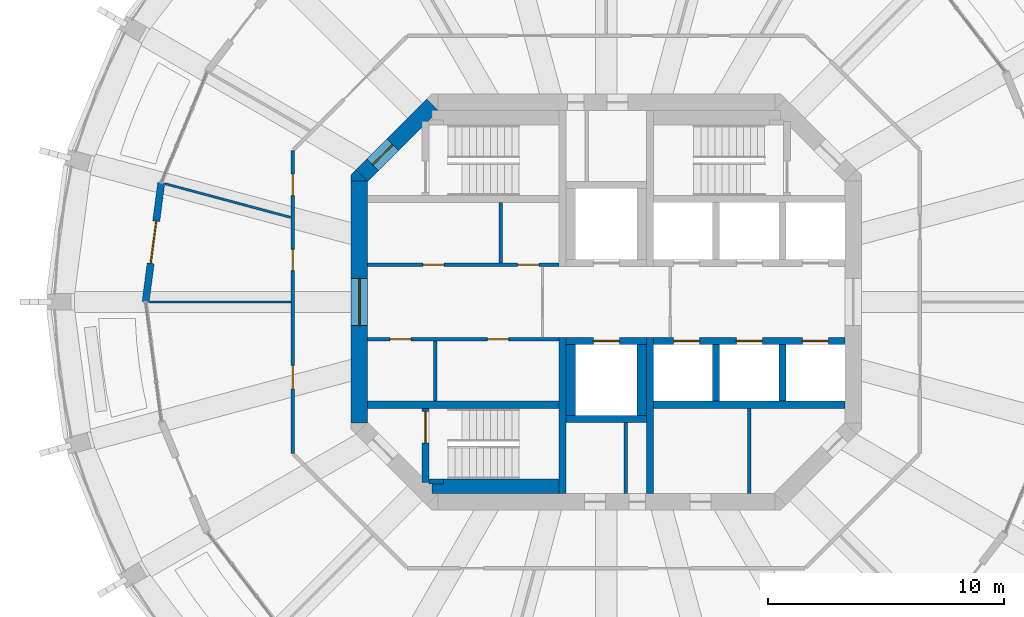
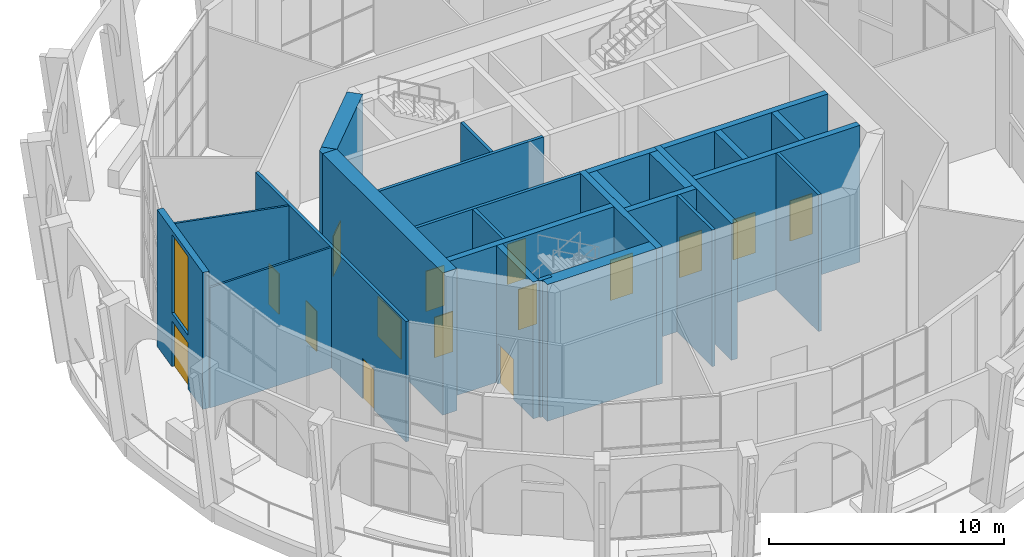
# One storey, part 10 of 16: 27 walls, 15 doors, 1 window, 16 openings.
"""IFC4 building model written with IfcOpenShell, lengths in metres."""

from ifc_helpers import new_model, si_unit, direction, frame, frame_2d, origin, place, context, subcontext, project, spatial, polyline, rectangle, outline, extrude, material, layer, layer_set, type_object, element, fill, save


model = new_model("IFC4")

# Units and contexts
model_context = context("Model", 3, precision=1e-05, world=origin(), true_north=direction((0.0, 1.0)))
body_context = subcontext(model_context, "Body", "Model", "MODEL_VIEW")
ifc_project = project(units=[si_unit("LENGTHUNIT", "METRE"), si_unit("AREAUNIT", "SQUARE_METRE"), si_unit("VOLUMEUNIT", "CUBIC_METRE"), si_unit("PLANEANGLEUNIT", "RADIAN"), si_unit("MASSUNIT", "GRAM", prefix="KILO")], contexts=[model_context])

# Site, building, storey
site_placement = place(None, origin())
site = spatial("IfcSite", under=ifc_project, at=site_placement, CompositionType="ELEMENT")
building_placement = place(site_placement, origin())
building = spatial("IfcBuilding", under=site, at=building_placement, Name="Torre Triforio", CompositionType="ELEMENT")
storey_placement = place(building_placement, frame((0.0, 0.0, 218.699951171875)))
storey = spatial("IfcBuildingStorey", under=building, at=storey_placement, Name="L50", CompositionType="ELEMENT", Elevation=218.699951171875)

# Walls
ifc_material_1 = material(Name="Concrete C50", Category="concrete")
ifc_layer_1 = layer(ifc_material_1, 0.300048828125)
ifc_layer_set_1 = layer_set([ifc_layer_1], Name="Concrete C50")
wall_type_1 = type_object("IfcWallType", Name="Core wall 300 mm C50 EI 120", PredefinedType="SHEAR", material=ifc_layer_set_1)
for number, where, z_axis, x_axis, name in (
    (1, (-1.85009765625, -8.10009765625, 0.0), (0.0, 0.0, 1.0), (0.0, 1.0, 0.0), "Core wall"),
    (2, (1.85009765625, -8.10009765625, 0.0), (0.0, 0.0, 1.0), (0.0, 1.0, 0.0), "Core wall"),
):
    element("IfcWall", number, at=place(storey_placement, frame(where, z_axis=z_axis, x_axis=x_axis)), inside=storey, type_object=wall_type_1, Name=name, PredefinedType="SHEAR", context=body_context, shape_type="SweptSolid", body=[
        extrude(rectangle(XDim=6.60009765625, YDim=0.300048828125, at=frame_2d((3.300048828125, 0.0))), origin(), (0.0, 0.0, 1.0), 7.1201171875),
    ])

# Wall, opening, door
ifc_layer_2 = layer(ifc_material_1, 0.699951171875)
ifc_layer_set_2 = layer_set([ifc_layer_2], Name="Concrete C50")
wall_type_2 = type_object("IfcWallType", Name="Core wall 700 mm C50 EI 120", PredefinedType="SHEAR", material=ifc_layer_set_2)
wall_1_placement = place(storey_placement, frame((-10.449951171875, -5.1298828125, -0.280029296875), z_axis=(0.0, 0.0, 1.0), x_axis=(0.0, 1.0, 0.0)))
wall_1 = element("IfcWall", 3, at=wall_1_placement, inside=storey, type_object=wall_type_2, Name="Core wall", PredefinedType="SHEAR", context=body_context, shape_type="SweptSolid", body=[
    extrude(rectangle(XDim=10.259765625, YDim=0.699951171875, at=frame_2d((5.1298828125, 0.0))), origin(), (0.0, 0.0, 1.0), 7.400146484375),
])
opening_1_placement = place(wall_1_placement, frame((4.1298828125, 0.0, 0.280029296875)))
opening_1 = element("IfcOpeningElement", 4, at=opening_1_placement, cuts=wall_1, Name="Opening W-RING", PredefinedType="OPENING", context=body_context, shape_type="SweptSolid", body=[
    extrude(rectangle(XDim=2.0, YDim=2.10009765625, at=frame_2d((1.0, 1.050048828125))), frame((0.0, 0.35986328125, 0.0), z_axis=(0.0, -1.0, 0.0), x_axis=(1.0, 0.0, 0.0)), (0.0, 0.0, 1.0), 0.719970703125),
])
ifc_material_2 = material(Name="Hollow metal fire door leaf")
door_type_1 = type_object("IfcDoorType", Name="Lobby door 2000 x 2100 EI 60", OperationType="DOUBLE_DOOR_SINGLE_SWING", PredefinedType="DOOR", material=ifc_material_2)
door_1_placement = place(opening_1_placement, origin())
door_1 = element("IfcDoor", 5, at=door_1_placement, inside=storey, type_object=door_type_1, Name="Core door W-RING", OperationType="DOUBLE_DOOR_SINGLE_SWING", OverallHeight=2.10009765625, OverallWidth=2.0, PredefinedType="DOOR", context=body_context, shape_type="SweptSolid", body=[
    extrude(rectangle(XDim=2.0, YDim=2.10009765625, at=frame_2d((1.0, 1.050048828125))), frame((0.0, 0.02490234375, 0.0), z_axis=(0.0, -1.0, 0.0), x_axis=(1.0, 0.0, 0.0)), (0.0, 0.0, 1.0), 0.050048828125),
])
fill(opening_1, door_1)

wall_2_placement = place(storey_placement, frame((-10.347412109375, 5.347412109375, -0.280029296875), z_axis=(0.0, 0.0, 1.0), x_axis=(0.707106781187, 0.707106781187, 0.0)))
wall_2 = element("IfcWall", 6, at=wall_2_placement, inside=storey, type_object=wall_type_2, Name="Core wall", PredefinedType="SHEAR", context=body_context, shape_type="SweptSolid", body=[
    extrude(rectangle(XDim=4.24267578125, YDim=0.699951171875, at=frame_2d((2.121337890625, 0.0))), origin(), (0.0, 0.0, 1.0), 7.400146484375),
])
opening_2_placement = place(wall_2_placement, frame((0.64990234375, 0.0, 0.280029296875)))
opening_2 = element("IfcOpeningElement", 7, at=opening_2_placement, cuts=wall_2, Name="Opening ST1-EXIT", PredefinedType="OPENING", context=body_context, shape_type="SweptSolid", body=[
    extrude(rectangle(XDim=1.199951171875, YDim=2.10009765625, at=frame_2d((0.60009765625, 1.050048828125))), frame((0.0, 0.35986328125, 0.0), z_axis=(0.0, -1.0, 0.0), x_axis=(1.0, 0.0, 0.0)), (0.0, 0.0, 1.0), 0.719970703125),
])
door_type_2 = type_object("IfcDoorType", Name="Stair lobby door 1200 x 2100 EI 60", OperationType="NOTDEFINED", PredefinedType="DOOR", material=ifc_material_2)
door_2_placement = place(opening_2_placement, origin())
door_2 = element("IfcDoor", 8, at=door_2_placement, inside=storey, type_object=door_type_2, Name="Core door ST1-EXIT", OperationType="SINGLE_SWING_RIGHT", OverallHeight=2.10009765625, OverallWidth=1.199951171875, PredefinedType="DOOR", context=body_context, shape_type="SweptSolid", body=[
    extrude(rectangle(XDim=1.199951171875, YDim=2.10009765625, at=frame_2d((0.60009765625, 1.050048828125))), frame((0.0, 0.02490234375, 0.0), z_axis=(0.0, -1.0, 0.0), x_axis=(1.0, 0.0, 0.0)), (0.0, 0.0, 1.0), 0.050048828125),
])
fill(opening_2, door_2)

# Wall
wall_3_placement = place(storey_placement, frame((0.0, 0.0, -0.280029296875)))
element("IfcWall", 9, at=wall_3_placement, inside=storey, type_object=wall_type_2, Name="Core wall", PredefinedType="SHEAR", context=body_context, shape_type="SweptSolid", body=[
    extrude(outline(polyline([(-10.594970703125, 5.594970703125), (-10.594970703125, 5.594970703125), (-10.594970703125, 5.594970703125), (-10.1298828125, 5.1298828125), (-10.800048828125, 5.1298828125), (-10.800048828125, 5.1298828125), (-10.800048828125, 5.389892578125), (-10.594970703125, 5.594970703125)])), origin(), (0.0, 0.0, 1.0), 7.400146484375),
])

# Wall, openings, doors
ifc_material_3 = material(Name="Plasterboard on metal studs")
ifc_layer_3 = layer(ifc_material_3, 0.14990234375)
ifc_layer_set_3 = layer_set([ifc_layer_3], Name="Plasterboard on metal studs")
wall_type_3 = type_object("IfcWallType", Name="Corridor and tenancy wall 150 mm EI 60", PredefinedType="PARTITIONING", material=ifc_layer_set_3)
wall_4_placement = place(storey_placement, frame((-13.27490234375, -6.4150390625, 0.0), z_axis=(0.0, 0.0, 1.0), x_axis=(0.0, 1.0, 0.0)))
wall_4 = element("IfcWall", 10, at=wall_4_placement, inside=storey, type_object=wall_type_3, Name="Partition 4", PredefinedType="PARTITIONING", context=body_context, shape_type="SweptSolid", body=[
    extrude(rectangle(XDim=12.830078125, YDim=0.14990234375, at=frame_2d((6.4150390625, 0.0))), origin(), (0.0, 0.0, 1.0), 6.27001953125),
])
opening_3_placement = place(wall_4_placement, frame((10.92626953125, 0.0, 0.0)))
opening_3 = element("IfcOpeningElement", 11, at=opening_3_placement, cuts=wall_4, Name="Opening G3-03", PredefinedType="OPENING", context=body_context, shape_type="SweptSolid", body=[
    extrude(rectangle(XDim=0.89990234375, YDim=2.10009765625, at=frame_2d((0.449951171875, 1.050048828125))), frame((0.0, 0.0849609375, 0.0), z_axis=(0.0, -1.0, 0.0), x_axis=(1.0, 0.0, 0.0)), (0.0, 0.0, 1.0), 0.169921875),
])
opening_4_placement = place(wall_4_placement, frame((7.744384765625, 0.0, 0.0)))
opening_4 = element("IfcOpeningElement", 12, at=opening_4_placement, cuts=wall_4, Name="Opening G3-04", PredefinedType="OPENING", context=body_context, shape_type="SweptSolid", body=[
    extrude(rectangle(XDim=0.89990234375, YDim=2.10009765625, at=frame_2d((0.449951171875, 1.050048828125))), frame((0.0, 0.0849609375, 0.0), z_axis=(0.0, -1.0, 0.0), x_axis=(1.0, 0.0, 0.0)), (0.0, 0.0, 1.0), 0.169921875),
])
opening_5_placement = place(wall_4_placement, frame((2.732666015625, 0.0, 0.0)))
opening_5 = element("IfcOpeningElement", 13, at=opening_5_placement, cuts=wall_4, Name="Opening G3-05", PredefinedType="OPENING", context=body_context, shape_type="SweptSolid", body=[
    extrude(rectangle(XDim=1.0, YDim=2.10009765625, at=frame_2d((0.5, 1.050048828125))), frame((0.0, 0.0849609375, 0.0), z_axis=(0.0, -1.0, 0.0), x_axis=(1.0, 0.0, 0.0)), (0.0, 0.0, 1.0), 0.169921875),
])
ifc_material_4 = material(Name="Timber", Category="wood")
door_type_3 = type_object("IfcDoorType", Name="Door 1000 x 2100 single leaf EI 30", OperationType="NOTDEFINED", PredefinedType="DOOR", material=ifc_material_4)
door_3_placement = place(opening_5_placement, origin())
door_3 = element("IfcDoor", 14, at=door_3_placement, inside=storey, type_object=door_type_3, Name="Door G3-05", OperationType="SINGLE_SWING_LEFT", OverallHeight=2.10009765625, OverallWidth=1.0, PredefinedType="DOOR", context=body_context, shape_type="SweptSolid", body=[
    extrude(rectangle(XDim=1.0, YDim=2.10009765625, at=frame_2d((0.5, 1.050048828125))), frame((0.0, 0.02490234375, 0.0), z_axis=(0.0, -1.0, 0.0), x_axis=(1.0, 0.0, 0.0)), (0.0, 0.0, 1.0), 0.050048828125),
])
fill(opening_5, door_3)
door_type_4 = type_object("IfcDoorType", Name="Door 900 x 2100 single leaf EI 30", OperationType="NOTDEFINED", PredefinedType="DOOR", material=ifc_material_4)
door_4_placement = place(opening_3_placement, origin())
door_4 = element("IfcDoor", 15, at=door_4_placement, inside=storey, type_object=door_type_4, Name="Door G3-03", OperationType="SINGLE_SWING_LEFT", OverallHeight=2.10009765625, OverallWidth=0.89990234375, PredefinedType="DOOR", context=body_context, shape_type="SweptSolid", body=[
    extrude(rectangle(XDim=0.89990234375, YDim=2.10009765625, at=frame_2d((0.449951171875, 1.050048828125))), frame((0.0, 0.02490234375, 0.0), z_axis=(0.0, -1.0, 0.0), x_axis=(1.0, 0.0, 0.0)), (0.0, 0.0, 1.0), 0.050048828125),
])
fill(opening_3, door_4)
door_5_placement = place(opening_4_placement, origin())
door_5 = element("IfcDoor", 16, at=door_5_placement, inside=storey, type_object=door_type_4, Name="Door G3-04", OperationType="SINGLE_SWING_RIGHT", OverallHeight=2.10009765625, OverallWidth=0.89990234375, PredefinedType="DOOR", context=body_context, shape_type="SweptSolid", body=[
    extrude(rectangle(XDim=0.89990234375, YDim=2.10009765625, at=frame_2d((0.449951171875, 1.050048828125))), frame((0.0, 0.02490234375, 0.0), z_axis=(0.0, -1.0, 0.0), x_axis=(1.0, 0.0, 0.0)), (0.0, 0.0, 1.0), 0.050048828125),
])
fill(opening_4, door_5)

# Walls
ifc_layer_4 = layer(ifc_material_3, 0.10009765625)
ifc_layer_set_4 = layer_set([ifc_layer_4], Name="Plasterboard on metal studs")
wall_type_4 = type_object("IfcWallType", Name="Partition 100 mm board on metal studs", PredefinedType="PARTITIONING", material=ifc_layer_set_4)
wall_5_placement = place(storey_placement, frame((-13.3642578125, 3.5810546875, 0.0), z_axis=(0.0, 0.0, 1.0), x_axis=(-0.965932996121, 0.258792285443, 0.0)))
element("IfcWall", 17, at=wall_5_placement, inside=storey, type_object=wall_type_4, Name="Partition 16", PredefinedType="PARTITIONING", context=body_context, shape_type="SweptSolid", body=[
    extrude(rectangle(XDim=5.5009765625, YDim=0.10009765625, at=frame_2d((2.75048828125, 0.0))), origin(), (0.0, 0.0, 1.0), 6.27001953125),
])
wall_6_placement = place(storey_placement, frame((-13.35009765625, 0.0, 0.0), z_axis=(0.0, 0.0, 1.0), x_axis=(-1.0, 0.0, 0.0)))
element("IfcWall", 18, at=wall_6_placement, inside=storey, type_object=wall_type_4, Name="Partition 17", PredefinedType="PARTITIONING", context=body_context, shape_type="SweptSolid", body=[
    extrude(rectangle(XDim=5.986572265625, YDim=0.10009765625, at=frame_2d((2.9931640625, 0.0))), origin(), (0.0, 0.0, 1.0), 6.27001953125),
])
ifc_material_5 = material(Name="Block and board partition")
ifc_layer_5 = layer(ifc_material_5, 0.14990234375)
ifc_layer_set_5 = layer_set([ifc_layer_5], Name="Block and board partition")
wall_type_5 = type_object("IfcWallType", Name="Partition 150 mm", PredefinedType="PARTITIONING", material=ifc_layer_set_5)
wall_7_placement = place(storey_placement, frame((6.050048828125, -8.10009765625, 0.0), z_axis=(0.0, 0.0, 1.0), x_axis=(0.0, 1.0, 0.0)))
element("IfcWall", 19, at=wall_7_placement, inside=storey, type_object=wall_type_5, Name="Partition", PredefinedType="PARTITIONING", context=body_context, shape_type="SweptSolid", body=[
    extrude(rectangle(XDim=3.60009765625, YDim=0.14990234375, at=frame_2d((1.800048828125, 0.0))), origin(), (0.0, 0.0, 1.0), 7.1201171875),
])
for number, where, z_axis, x_axis, name in (
    (20, (-4.4599609375, 1.64990234375, 0.0), (0.0, 0.0, 1.0), (0.0, 1.0, 0.0), "Partition"),
    (21, (-7.242431640625, -4.199951171875, 0.0), (0.0, 0.0, 1.0), (0.0, 1.0, 0.0), "Partition"),
):
    element("IfcWall", number, at=place(storey_placement, frame(where, z_axis=z_axis, x_axis=x_axis)), inside=storey, type_object=wall_type_5, Name=name, PredefinedType="PARTITIONING", context=body_context, shape_type="SweptSolid", body=[
        extrude(rectangle(XDim=2.550048828125, YDim=0.14990234375, at=frame_2d((1.27490234375, 0.0))), origin(), (0.0, 0.0, 1.0), 7.1201171875),
    ])
ifc_layer_6 = layer(ifc_material_5, 0.14990234375)
ifc_layer_set_6 = layer_set([ifc_layer_6], Name="Block and board partition")
wall_type_6 = type_object("IfcWallType", Name="Partition 150 mm EI 120", PredefinedType="PARTITIONING", material=ifc_layer_set_6)
wall_8_placement = place(storey_placement, frame((0.824951171875, -8.10009765625, 0.0), z_axis=(0.0, 0.0, 1.0), x_axis=(0.0, 1.0, 0.0)))
element("IfcWall", 22, at=wall_8_placement, inside=storey, type_object=wall_type_6, Name="Partition", PredefinedType="PARTITIONING", context=body_context, shape_type="SweptSolid", body=[
    extrude(rectangle(XDim=3.0, YDim=0.14990234375, at=frame_2d((1.5, 0.0))), origin(), (0.0, 0.0, 1.0), 7.1201171875),
])

# Wall, openings, doors
wall_9_placement = place(storey_placement, frame((-10.10009765625, 1.574951171875, 0.0), z_axis=(0.0, 0.0, 1.0), x_axis=(1.0, 0.0, 0.0)))
wall_9 = element("IfcWall", 23, at=wall_9_placement, inside=storey, type_object=wall_type_6, Name="Partition", PredefinedType="PARTITIONING", context=body_context, shape_type="SweptSolid", body=[
    extrude(rectangle(XDim=8.10009765625, YDim=0.14990234375, at=frame_2d((4.050048828125, 0.0))), origin(), (0.0, 0.0, 1.0), 7.1201171875),
])
opening_6_placement = place(wall_9_placement, frame((2.33251953125, 0.0, 0.0)))
opening_6 = element("IfcOpeningElement", 24, at=opening_6_placement, cuts=wall_9, Name="Opening FN-01", PredefinedType="OPENING", context=body_context, shape_type="SweptSolid", body=[
    extrude(rectangle(XDim=0.89990234375, YDim=2.10009765625, at=frame_2d((0.449951171875, 1.050048828125))), frame((0.0, 0.0849609375, 0.0), z_axis=(0.0, -1.0, 0.0), x_axis=(1.0, 0.0, 0.0)), (0.0, 0.0, 1.0), 0.169921875),
])
opening_7_placement = place(wall_9_placement, frame((6.35009765625, 0.0, 0.0)))
opening_7 = element("IfcOpeningElement", 25, at=opening_7_placement, cuts=wall_9, Name="Opening FN-02A", PredefinedType="OPENING", context=body_context, shape_type="SweptSolid", body=[
    extrude(rectangle(XDim=0.89990234375, YDim=2.10009765625, at=frame_2d((0.449951171875, 1.050048828125))), frame((0.0, 0.0849609375, 0.0), z_axis=(0.0, -1.0, 0.0), x_axis=(1.0, 0.0, 0.0)), (0.0, 0.0, 1.0), 0.169921875),
])
door_type_5 = type_object("IfcDoorType", Name="Plant room door 900 x 2100 EI 60", OperationType="NOTDEFINED", PredefinedType="DOOR", material=ifc_material_2)
door_6_placement = place(opening_7_placement, origin())
door_6 = element("IfcDoor", 26, at=door_6_placement, inside=storey, type_object=door_type_5, Name="Core door FN-02", OperationType="SINGLE_SWING_RIGHT", OverallHeight=2.10009765625, OverallWidth=0.89990234375, PredefinedType="DOOR", context=body_context, shape_type="SweptSolid", body=[
    extrude(rectangle(XDim=0.89990234375, YDim=2.10009765625, at=frame_2d((0.449951171875, 1.050048828125))), frame((0.0, 0.02490234375, 0.0), z_axis=(0.0, -1.0, 0.0), x_axis=(1.0, 0.0, 0.0)), (0.0, 0.0, 1.0), 0.050048828125),
])
fill(opening_7, door_6)
door_type_6 = type_object("IfcDoorType", Name="Room door 900 x 2100 EI 60", OperationType="NOTDEFINED", PredefinedType="DOOR", material=ifc_material_2)
door_7_placement = place(opening_6_placement, origin())
door_7 = element("IfcDoor", 27, at=door_7_placement, inside=storey, type_object=door_type_6, Name="Core door FN-01", OperationType="SINGLE_SWING_RIGHT", OverallHeight=2.10009765625, OverallWidth=0.89990234375, PredefinedType="DOOR", context=body_context, shape_type="SweptSolid", body=[
    extrude(rectangle(XDim=0.89990234375, YDim=2.10009765625, at=frame_2d((0.449951171875, 1.050048828125))), frame((0.0, 0.02490234375, 0.0), z_axis=(0.0, -1.0, 0.0), x_axis=(1.0, 0.0, 0.0)), (0.0, 0.0, 1.0), 0.050048828125),
])
fill(opening_6, door_7)

wall_10_placement = place(storey_placement, frame((-10.10009765625, -1.574951171875, 0.0), z_axis=(0.0, 0.0, 1.0), x_axis=(1.0, 0.0, 0.0)))
wall_10 = element("IfcWall", 28, at=wall_10_placement, inside=storey, type_object=wall_type_6, Name="Partition", PredefinedType="PARTITIONING", context=body_context, shape_type="SweptSolid", body=[
    extrude(rectangle(XDim=8.10009765625, YDim=0.14990234375, at=frame_2d((4.050048828125, 0.0))), origin(), (0.0, 0.0, 1.0), 7.1201171875),
])
opening_8_placement = place(wall_10_placement, frame((0.941162109375, 0.0, 0.0)))
opening_8 = element("IfcOpeningElement", 29, at=opening_8_placement, cuts=wall_10, Name="Opening FS-01", PredefinedType="OPENING", context=body_context, shape_type="SweptSolid", body=[
    extrude(rectangle(XDim=0.89990234375, YDim=2.10009765625, at=frame_2d((0.449951171875, 1.050048828125))), frame((0.0, 0.0849609375, 0.0), z_axis=(0.0, -1.0, 0.0), x_axis=(1.0, 0.0, 0.0)), (0.0, 0.0, 1.0), 0.169921875),
])
opening_9_placement = place(wall_10_placement, frame((5.066162109375, 0.0, 0.0)))
opening_9 = element("IfcOpeningElement", 30, at=opening_9_placement, cuts=wall_10, Name="Opening FS-02", PredefinedType="OPENING", context=body_context, shape_type="SweptSolid", body=[
    extrude(rectangle(XDim=0.89990234375, YDim=2.10009765625, at=frame_2d((0.449951171875, 1.050048828125))), frame((0.0, 0.0849609375, 0.0), z_axis=(0.0, -1.0, 0.0), x_axis=(1.0, 0.0, 0.0)), (0.0, 0.0, 1.0), 0.169921875),
])
door_8_placement = place(opening_8_placement, origin())
door_8 = element("IfcDoor", 31, at=door_8_placement, inside=storey, type_object=door_type_6, Name="Core door FS-01", OperationType="SINGLE_SWING_LEFT", OverallHeight=2.10009765625, OverallWidth=0.89990234375, PredefinedType="DOOR", context=body_context, shape_type="SweptSolid", body=[
    extrude(rectangle(XDim=0.89990234375, YDim=2.10009765625, at=frame_2d((0.449951171875, 1.050048828125))), frame((0.0, 0.02490234375, 0.0), z_axis=(0.0, -1.0, 0.0), x_axis=(1.0, 0.0, 0.0)), (0.0, 0.0, 1.0), 0.050048828125),
])
fill(opening_8, door_8)
door_9_placement = place(opening_9_placement, origin())
door_9 = element("IfcDoor", 32, at=door_9_placement, inside=storey, type_object=door_type_6, Name="Core door FS-02", OperationType="SINGLE_SWING_LEFT", OverallHeight=2.10009765625, OverallWidth=0.89990234375, PredefinedType="DOOR", context=body_context, shape_type="SweptSolid", body=[
    extrude(rectangle(XDim=0.89990234375, YDim=2.10009765625, at=frame_2d((0.449951171875, 1.050048828125))), frame((0.0, 0.02490234375, 0.0), z_axis=(0.0, -1.0, 0.0), x_axis=(1.0, 0.0, 0.0)), (0.0, 0.0, 1.0), 0.050048828125),
])
fill(opening_9, door_9)

# Walls
ifc_layer_7 = layer(ifc_material_1, 0.300048828125)
ifc_layer_set_7 = layer_set([ifc_layer_7], Name="Concrete C50")
wall_type_7 = type_object("IfcWallType", Name="Shaft wall 300 mm C50 EI 120", PredefinedType="SOLIDWALL", material=ifc_layer_set_7)
for number, where, z_axis, x_axis, name in (
    (33, (-10.10009765625, -4.35009765625, 0.0), (0.0, 0.0, 1.0), (1.0, 0.0, 0.0), "Shaft wall"),
    (34, (2.0, -4.35009765625, 0.0), (0.0, 0.0, 1.0), (1.0, 0.0, 0.0), "Shaft wall"),
):
    element("IfcWall", number, at=place(storey_placement, frame(where, z_axis=z_axis, x_axis=x_axis)), inside=storey, type_object=wall_type_7, Name=name, PredefinedType="SOLIDWALL", context=body_context, shape_type="SweptSolid", body=[
        extrude(rectangle(XDim=8.10009765625, YDim=0.300048828125, at=frame_2d((4.050048828125, 0.0))), origin(), (0.0, 0.0, 1.0), 7.1201171875),
    ])

# Wall, openings, doors
wall_11_placement = place(storey_placement, frame((2.0, -1.64990234375, 0.0), z_axis=(0.0, 0.0, 1.0), x_axis=(1.0, 0.0, 0.0)))
wall_11 = element("IfcWall", 35, at=wall_11_placement, inside=storey, type_object=wall_type_7, Name="Shaft wall", PredefinedType="SOLIDWALL", context=body_context, shape_type="SweptSolid", body=[
    extrude(rectangle(XDim=8.10009765625, YDim=0.300048828125, at=frame_2d((4.050048828125, 0.0))), origin(), (0.0, 0.0, 1.0), 7.1201171875),
])
opening_10_placement = place(wall_11_placement, frame((0.85009765625, 0.0, 0.0)))
opening_10 = element("IfcOpeningElement", 36, at=opening_10_placement, cuts=wall_11, Name="Opening LD", PredefinedType="OPENING", context=body_context, shape_type="SweptSolid", body=[
    extrude(rectangle(XDim=1.10009765625, YDim=2.10009765625, at=frame_2d((0.550048828125, 1.050048828125))), frame((0.0, 0.159912109375, 0.0), z_axis=(0.0, -1.0, 0.0), x_axis=(1.0, 0.0, 0.0)), (0.0, 0.0, 1.0), 0.320068359375),
])
opening_11_placement = place(wall_11_placement, frame((3.5, 0.0, 0.0)))
opening_11 = element("IfcOpeningElement", 37, at=opening_11_placement, cuts=wall_11, Name="Opening LD", PredefinedType="OPENING", context=body_context, shape_type="SweptSolid", body=[
    extrude(rectangle(XDim=1.10009765625, YDim=2.10009765625, at=frame_2d((0.550048828125, 1.050048828125))), frame((0.0, 0.159912109375, 0.0), z_axis=(0.0, -1.0, 0.0), x_axis=(1.0, 0.0, 0.0)), (0.0, 0.0, 1.0), 0.320068359375),
])
opening_12_placement = place(wall_11_placement, frame((6.300048828125, 0.0, 0.0)))
opening_12 = element("IfcOpeningElement", 38, at=opening_12_placement, cuts=wall_11, Name="Opening LD", PredefinedType="OPENING", context=body_context, shape_type="SweptSolid", body=[
    extrude(rectangle(XDim=1.10009765625, YDim=2.10009765625, at=frame_2d((0.550048828125, 1.050048828125))), frame((0.0, 0.159912109375, 0.0), z_axis=(0.0, -1.0, 0.0), x_axis=(1.0, 0.0, 0.0)), (0.0, 0.0, 1.0), 0.320068359375),
])
door_type_7 = type_object("IfcDoorType", Name="Landing door 1100 x 2100 EI 60", OperationType="DOUBLE_DOOR_SLIDING", PredefinedType="DOOR", material=ifc_material_2)
door_10_placement = place(opening_10_placement, origin())
door_10 = element("IfcDoor", 39, at=door_10_placement, inside=storey, type_object=door_type_7, Name="Landing door HR4", OperationType="DOUBLE_DOOR_SLIDING", OverallHeight=2.10009765625, OverallWidth=1.10009765625, PredefinedType="DOOR", context=body_context, shape_type="SweptSolid", body=[
    extrude(rectangle(XDim=1.10009765625, YDim=2.10009765625, at=frame_2d((0.550048828125, 1.050048828125))), frame((0.0, 0.02490234375, 0.0), z_axis=(0.0, -1.0, 0.0), x_axis=(1.0, 0.0, 0.0)), (0.0, 0.0, 1.0), 0.050048828125),
])
fill(opening_10, door_10)
door_11_placement = place(opening_11_placement, origin())
door_11 = element("IfcDoor", 40, at=door_11_placement, inside=storey, type_object=door_type_7, Name="Landing door HR5", OperationType="DOUBLE_DOOR_SLIDING", OverallHeight=2.10009765625, OverallWidth=1.10009765625, PredefinedType="DOOR", context=body_context, shape_type="SweptSolid", body=[
    extrude(rectangle(XDim=1.10009765625, YDim=2.10009765625, at=frame_2d((0.550048828125, 1.050048828125))), frame((0.0, 0.02490234375, 0.0), z_axis=(0.0, -1.0, 0.0), x_axis=(1.0, 0.0, 0.0)), (0.0, 0.0, 1.0), 0.050048828125),
])
fill(opening_11, door_11)
door_12_placement = place(opening_12_placement, origin())
door_12 = element("IfcDoor", 41, at=door_12_placement, inside=storey, type_object=door_type_7, Name="Landing door HR6", OperationType="DOUBLE_DOOR_SLIDING", OverallHeight=2.10009765625, OverallWidth=1.10009765625, PredefinedType="DOOR", context=body_context, shape_type="SweptSolid", body=[
    extrude(rectangle(XDim=1.10009765625, YDim=2.10009765625, at=frame_2d((0.550048828125, 1.050048828125))), frame((0.0, 0.02490234375, 0.0), z_axis=(0.0, -1.0, 0.0), x_axis=(1.0, 0.0, 0.0)), (0.0, 0.0, 1.0), 0.050048828125),
])
fill(opening_12, door_12)

# Walls
for number, where, z_axis, x_axis, name in (
    (42, (4.64990234375, -4.199951171875, 0.0), (0.0, 0.0, 1.0), (0.0, 1.0, 0.0), "Shaft wall"),
    (43, (7.449951171875, -4.199951171875, 0.0), (0.0, 0.0, 1.0), (0.0, 1.0, 0.0), "Shaft wall"),
):
    element("IfcWall", number, at=place(storey_placement, frame(where, z_axis=z_axis, x_axis=x_axis)), inside=storey, type_object=wall_type_7, Name=name, PredefinedType="SOLIDWALL", context=body_context, shape_type="SweptSolid", body=[
        extrude(rectangle(XDim=2.39990234375, YDim=0.300048828125, at=frame_2d((1.199951171875, 0.0))), origin(), (0.0, 0.0, 1.0), 7.1201171875),
    ])

# Wall, opening, door
wall_12_placement = place(storey_placement, frame((-1.699951171875, -1.64990234375, 0.0), z_axis=(0.0, 0.0, 1.0), x_axis=(1.0, 0.0, 0.0)))
wall_12 = element("IfcWall", 44, at=wall_12_placement, inside=storey, type_object=wall_type_7, Name="Shaft wall", PredefinedType="SOLIDWALL", context=body_context, shape_type="SweptSolid", body=[
    extrude(rectangle(XDim=3.39990234375, YDim=0.300048828125, at=frame_2d((1.699951171875, 0.0))), origin(), (0.0, 0.0, 1.0), 7.1201171875),
])
opening_13_placement = place(wall_12_placement, frame((1.14990234375, 0.0, 0.0)))
opening_13 = element("IfcOpeningElement", 45, at=opening_13_placement, cuts=wall_12, Name="Opening LD", PredefinedType="OPENING", context=body_context, shape_type="SweptSolid", body=[
    extrude(rectangle(XDim=1.10009765625, YDim=2.10009765625, at=frame_2d((0.550048828125, 1.050048828125))), frame((0.0, 0.159912109375, 0.0), z_axis=(0.0, -1.0, 0.0), x_axis=(1.0, 0.0, 0.0)), (0.0, 0.0, 1.0), 0.320068359375),
])
door_13_placement = place(opening_13_placement, origin())
door_13 = element("IfcDoor", 46, at=door_13_placement, inside=storey, type_object=door_type_7, Name="Landing door FFL2", OperationType="DOUBLE_DOOR_SLIDING", OverallHeight=2.10009765625, OverallWidth=1.10009765625, PredefinedType="DOOR", context=body_context, shape_type="SweptSolid", body=[
    extrude(rectangle(XDim=1.10009765625, YDim=2.10009765625, at=frame_2d((0.550048828125, 1.050048828125))), frame((0.0, 0.02490234375, 0.0), z_axis=(0.0, -1.0, 0.0), x_axis=(1.0, 0.0, 0.0)), (0.0, 0.0, 1.0), 0.050048828125),
])
fill(opening_13, door_13)

# Walls
wall_13_placement = place(storey_placement, frame((-1.699951171875, -4.949951171875, 0.0), z_axis=(0.0, 0.0, 1.0), x_axis=(1.0, 0.0, 0.0)))
element("IfcWall", 47, at=wall_13_placement, inside=storey, type_object=wall_type_7, Name="Shaft wall", PredefinedType="SOLIDWALL", context=body_context, shape_type="SweptSolid", body=[
    extrude(rectangle(XDim=3.39990234375, YDim=0.300048828125, at=frame_2d((1.699951171875, 0.0))), origin(), (0.0, 0.0, 1.0), 7.1201171875),
])
ifc_layer_8 = layer(ifc_material_1, 0.39990234375)
ifc_layer_set_8 = layer_set([ifc_layer_8], Name="Concrete C50")
wall_type_8 = type_object("IfcWallType", Name="Shaft wall 400 mm C50 EI 120", PredefinedType="SOLIDWALL", material=ifc_layer_set_8)
for number, where, z_axis, x_axis, name in (
    (48, (-1.5, -4.800048828125, 0.0), (0.0, 0.0, 1.0), (0.0, 1.0, 0.0), "Shaft wall"),
    (49, (1.5, -4.800048828125, 0.0), (0.0, 0.0, 1.0), (0.0, 1.0, 0.0), "Shaft wall"),
):
    element("IfcWall", number, at=place(storey_placement, frame(where, z_axis=z_axis, x_axis=x_axis)), inside=storey, type_object=wall_type_8, Name=name, PredefinedType="SOLIDWALL", context=body_context, shape_type="SweptSolid", body=[
        extrude(rectangle(XDim=3.0, YDim=0.39990234375, at=frame_2d((1.5, 0.0))), origin(), (0.0, 0.0, 1.0), 7.1201171875),
    ])
ifc_layer_9 = layer(ifc_material_1, 0.199951171875)
ifc_layer_set_9 = layer_set([ifc_layer_9], Name="Concrete C50")
wall_type_9 = type_object("IfcWallType", Name="Stair wall 200 mm C50 EI 120", PredefinedType="SHEAR", material=ifc_layer_set_9)
wall_14_placement = place(storey_placement, frame((-7.5, -7.60009765625, 0.0), z_axis=(0.0, 0.0, 1.0), x_axis=(1.0, 0.0, 0.0)))
element("IfcWall", 50, at=wall_14_placement, inside=storey, type_object=wall_type_9, Name="Stair wall", PredefinedType="SHEAR", context=body_context, shape_type="SweptSolid", body=[
    extrude(rectangle(XDim=0.60009765625, YDim=0.199951171875, at=frame_2d((0.300048828125, 0.0))), origin(), (0.0, 0.0, 1.0), 7.1201171875),
])

# Wall, opening, door
ifc_layer_10 = layer(ifc_material_1, 0.300048828125)
ifc_layer_set_10 = layer_set([ifc_layer_10], Name="Concrete C50")
wall_type_10 = type_object("IfcWallType", Name="Stair wall 300 mm C50 EI 120", PredefinedType="SHEAR", material=ifc_layer_set_10)
wall_15_placement = place(storey_placement, frame((-7.64990234375, -7.639892578125, 0.0), z_axis=(0.0, 0.0, 1.0), x_axis=(0.0, 1.0, 0.0)))
wall_15 = element("IfcWall", 51, at=wall_15_placement, inside=storey, type_object=wall_type_10, Name="Stair wall", PredefinedType="SHEAR", context=body_context, shape_type="SweptSolid", body=[
    extrude(rectangle(XDim=3.139892578125, YDim=0.300048828125, at=frame_2d((1.56982421875, 0.0))), origin(), (0.0, 0.0, 1.0), 7.1201171875),
])
opening_14_placement = place(wall_15_placement, frame((1.679931640625, 0.0, 0.0)))
opening_14 = element("IfcOpeningElement", 52, at=opening_14_placement, cuts=wall_15, Name="Opening ST3-STA", PredefinedType="OPENING", context=body_context, shape_type="SweptSolid", body=[
    extrude(rectangle(XDim=1.320068359375, YDim=2.10009765625, at=frame_2d((0.66015625, 1.050048828125))), frame((0.0, 0.159912109375, 0.0), z_axis=(0.0, -1.0, 0.0), x_axis=(1.0, 0.0, 0.0)), (0.0, 0.0, 1.0), 0.320068359375),
])
door_type_8 = type_object("IfcDoorType", Name="Stair door 1320 x 2100 EI 90", OperationType="DOUBLE_DOOR_SINGLE_SWING", PredefinedType="DOOR", material=ifc_material_2)
door_14_placement = place(opening_14_placement, origin())
door_14 = element("IfcDoor", 53, at=door_14_placement, inside=storey, type_object=door_type_8, Name="Core door ST3-ST", OperationType="DOUBLE_DOOR_SINGLE_SWING", OverallHeight=2.10009765625, OverallWidth=1.320068359375, PredefinedType="DOOR", context=body_context, shape_type="SweptSolid", body=[
    extrude(rectangle(XDim=1.320068359375, YDim=2.10009765625, at=frame_2d((0.66015625, 1.050048828125))), frame((0.0, 0.02490234375, 0.0), z_axis=(0.0, -1.0, 0.0), x_axis=(1.0, 0.0, 0.0)), (0.0, 0.0, 1.0), 0.050048828125),
])
fill(opening_14, door_14)

# Wall
ifc_layer_11 = layer(ifc_material_1, 0.60009765625)
ifc_layer_set_11 = layer_set([ifc_layer_11], Name="Concrete C50")
wall_type_11 = type_object("IfcWallType", Name="Stair wall 600 mm C50 EI 120", PredefinedType="SHEAR", material=ifc_layer_set_11)
wall_16_placement = place(storey_placement, frame((-7.3701171875, -7.800048828125, 0.0), z_axis=(0.0, 0.0, 1.0), x_axis=(1.0, 0.0, 0.0)))
element("IfcWall", 54, at=wall_16_placement, inside=storey, type_object=wall_type_11, Name="Stair wall", PredefinedType="SHEAR", context=body_context, shape_type="SweptSolid", body=[
    extrude(rectangle(XDim=5.3701171875, YDim=0.60009765625, at=frame_2d((2.68505859375, 0.0))), origin(), (0.0, 0.0, 1.0), 7.1201171875),
])

# Wall, openings, window, door
ifc_material_6 = material(Name="Limestone cladding", Category="masonry")
ifc_layer_12 = layer(ifc_material_6, 0.10009765625)
ifc_material_7 = material(Name="Concrete C40", Category="concrete")
ifc_layer_13 = layer(ifc_material_7, 0.199951171875)
ifc_layer_set_12 = layer_set([ifc_layer_12, ifc_layer_13], Name="Limestone cladding / Concrete C40")
wall_type_12 = type_object("IfcWallType", Name="Stone-faced composite wall 300", PredefinedType="STANDARD", material=ifc_layer_set_12)
wall_17_placement = place(storey_placement, frame((-18.835693359375, 5.047119140625, 0.0), z_axis=(0.0, 0.0, 1.0), x_axis=(-0.130495451964, -0.99144890792, 0.0)))
wall_17 = element("IfcWall", 55, at=wall_17_placement, inside=storey, type_object=wall_type_12, Name="External wall L50 bay 12", PredefinedType="STANDARD", context=body_context, shape_type="SweptSolid", body=[
    extrude(rectangle(XDim=5.090576171875, YDim=0.300048828125, at=frame_2d((2.54541015625, 0.0))), origin(), (0.0, 0.0, 1.0), 7.1201171875),
])
opening_15_placement = place(wall_17_placement, frame((1.645263671875, 0.0, 0.0)))
opening_15 = element("IfcOpeningElement", 56, at=opening_15_placement, cuts=wall_17, Name="Opening G3-D12", PredefinedType="OPENING", context=body_context, shape_type="SweptSolid", body=[
    extrude(rectangle(XDim=1.800048828125, YDim=2.39990234375, at=frame_2d((0.89990234375, 1.199951171875))), frame((0.0, 0.159912109375, 0.0), z_axis=(0.0, -1.0, 0.0), x_axis=(1.0, 0.0, 0.0)), (0.0, 0.0, 1.0), 0.320068359375),
])
opening_16_placement = place(wall_17_placement, frame((1.645263671875, 0.0, 2.800048828125)))
opening_16 = element("IfcOpeningElement", 57, at=opening_16_placement, cuts=wall_17, Name="Opening G3-W12", PredefinedType="OPENING", context=body_context, shape_type="SweptSolid", body=[
    extrude(rectangle(XDim=1.800048828125, YDim=4.10009765625, at=frame_2d((0.89990234375, 2.050048828125))), frame((0.0, 0.159912109375, 0.0), z_axis=(0.0, -1.0, 0.0), x_axis=(1.0, 0.0, 0.0)), (0.0, 0.0, 1.0), 0.320068359375),
])
ifc_material_8 = material(Name="Aluminium frame with clear double glazing", Category="aluminium")
window_type = type_object("IfcWindowType", Name="Garden clerestory window 1800 x 4100", PartitioningType="DOUBLE_PANEL_VERTICAL", PredefinedType="WINDOW", material=ifc_material_8)
window_placement = place(opening_16_placement, origin())
window = element("IfcWindow", 58, at=window_placement, inside=storey, type_object=window_type, Name="Clerestory EWN22 L50 bay 12", OverallHeight=4.10009765625, OverallWidth=1.800048828125, PartitioningType="SINGLE_PANEL", PredefinedType="WINDOW", context=body_context, shape_type="SweptSolid", body=[
    extrude(rectangle(XDim=1.800048828125, YDim=4.10009765625, at=frame_2d((0.89990234375, 2.050048828125))), frame((0.0, 0.030029296875, 0.0), z_axis=(0.0, -1.0, 0.0), x_axis=(1.0, 0.0, 0.0)), (0.0, 0.0, 1.0), 0.06005859375),
])
fill(opening_16, window)
door_type_9 = type_object("IfcDoorType", Name="Terrace double door 1800 x 2400", OperationType="DOUBLE_DOOR_SINGLE_SWING", PredefinedType="DOOR", material=ifc_material_8)
door_15_placement = place(opening_15_placement, origin())
door_15 = element("IfcDoor", 59, at=door_15_placement, inside=storey, type_object=door_type_9, Name="Terrace door L50 bay 12", OperationType="SINGLE_SWING_LEFT", OverallHeight=2.39990234375, OverallWidth=1.800048828125, PredefinedType="DOOR", context=body_context, shape_type="SweptSolid", body=[
    extrude(rectangle(XDim=1.800048828125, YDim=2.39990234375, at=frame_2d((0.89990234375, 1.199951171875))), frame((0.0, 0.02490234375, 0.0), z_axis=(0.0, -1.0, 0.0), x_axis=(1.0, 0.0, 0.0)), (0.0, 0.0, 1.0), 0.050048828125),
])
fill(opening_15, door_15)

save(model, "model.ifc")
